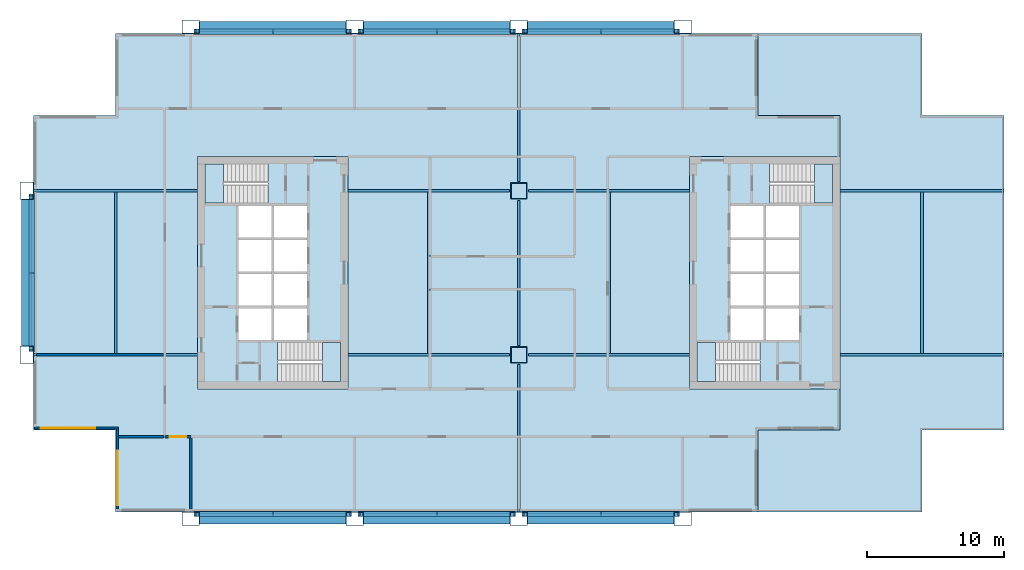
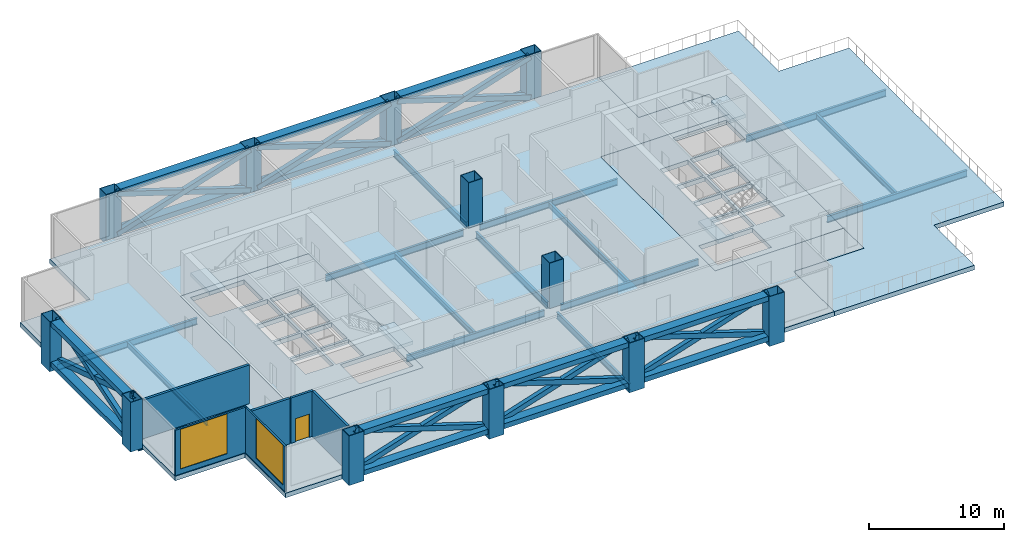
# One storey, part 1 of 6: 29 beams, 14 members, 12 columns, 8 slabs, 6 walls, 2 windows, 1 door, 3 openings, 4 elements without a shape of their own.
"""IFC4 building model written with IfcOpenShell, lengths in metres."""

from ifc_helpers import new_model, si_unit, direction, frame, frame_2d, origin, origin_2d, place, context, subcontext, project, spatial, polyline, rectangle, hollow_rectangle, i_section, outline, extrude, material, layer, layer_set, material_profile, profile_set, type_object, element, fill, aggregate, save


model = new_model("IFC4")

# Units and contexts
model_context = context("Model", 3, precision=1e-05, world=origin(), true_north=direction((0.0, 1.0)))
body_context = subcontext(model_context, "Body", "Model", "MODEL_VIEW")
ifc_project = project(units=[si_unit("LENGTHUNIT", "METRE"), si_unit("AREAUNIT", "SQUARE_METRE"), si_unit("VOLUMEUNIT", "CUBIC_METRE"), si_unit("PLANEANGLEUNIT", "RADIAN"), si_unit("MASSUNIT", "GRAM", prefix="KILO")], contexts=[model_context])

# Site, building, storey
site_placement = place(None, origin())
site = spatial("IfcSite", under=ifc_project, at=site_placement, CompositionType="ELEMENT")
building_placement = place(site_placement, origin())
building = spatial("IfcBuilding", under=site, at=building_placement, Name="Kitamizu Gate Tower and Museum", CompositionType="ELEMENT")
storey_placement = place(building_placement, frame((0.0, 0.0, 153.75)))
storey = spatial("IfcBuildingStorey", under=building, at=storey_placement, Name="L40", CompositionType="ELEMENT", Elevation=153.75)

# Columns
ifc_material_1 = material(Name="Steel SM490A bronze coated", Category="steel")
ifc_material_profile_1 = material_profile(ifc_material_1, hollow_rectangle(XDim=1.300048828125, YDim=1.0, WallThickness=0.050048828125, at=origin_2d()), Name="BOX 1300x1000x50")
ifc_profile_set_1 = profile_set([ifc_material_profile_1], Name="Steel SM490A bronze coated")
column_type_1 = type_object("IfcColumnType", Name="Exoskeleton column XC6 BOX 1300x1000x50", PredefinedType="COLUMN", material=ifc_profile_set_1)
for number, where, z_axis, x_axis, name in (
    (1, (0.0, 24.0, -0.39990234375), (0.0, 0.0, 1.0), (0.0, 1.0, 0.0), "Column XC6 1C L40"),
    (2, (0.0, 36.0, -0.39990234375), (0.0, 0.0, 1.0), (0.0, 1.0, 0.0), "Column XC6 1D L40"),
    (3, (12.0, 12.0, -0.39990234375), (0.0, 0.0, 1.0), (1.0, 0.0, 0.0), "Column XC6 2B L40"),
    (4, (12.0, 48.0, -0.39990234375), (0.0, 0.0, 1.0), (1.0, 0.0, 0.0), "Column XC6 2E L40"),
    (5, (24.0, 12.0, -0.39990234375), (0.0, 0.0, 1.0), (1.0, 0.0, 0.0), "Column XC6 3B L40"),
    (6, (24.0, 48.0, -0.39990234375), (0.0, 0.0, 1.0), (1.0, 0.0, 0.0), "Column XC6 3E L40"),
    (7, (36.0, 12.0, -0.39990234375), (0.0, 0.0, 1.0), (1.0, 0.0, 0.0), "Column XC6 4B L40"),
    (8, (36.0, 48.0, -0.39990234375), (0.0, 0.0, 1.0), (1.0, 0.0, 0.0), "Column XC6 4E L40"),
    (9, (48.0, 12.0, -0.39990234375), (0.0, 0.0, 1.0), (1.0, 0.0, 0.0), "Column XC6 5B L40"),
    (10, (48.0, 48.0, -0.39990234375), (0.0, 0.0, 1.0), (1.0, 0.0, 0.0), "Column XC6 5E L40"),
):
    element("IfcColumn", number, at=place(storey_placement, frame(where, z_axis=z_axis, x_axis=x_axis)), inside=storey, type_object=column_type_1, Name=name, PredefinedType="COLUMN", context=body_context, shape_type="SweptSolid", body=[
        extrude(hollow_rectangle(XDim=1.300048828125, YDim=1.0, WallThickness=0.050048828125, at=origin_2d()), origin(), (0.0, 0.0, 1.0), 4.5),
    ])
ifc_material_2 = material(Name="Steel SM490A", Category="steel")
ifc_material_profile_2 = material_profile(ifc_material_2, hollow_rectangle(XDim=1.199951171875, YDim=1.199951171875, WallThickness=0.050048828125, at=origin_2d()), Name="BOX 1200x1200x50")
ifc_profile_set_2 = profile_set([ifc_material_profile_2], Name="Steel SM490A")
column_type_2 = type_object("IfcColumnType", Name="Interior column IC4 BOX 1200x1200x50", PredefinedType="COLUMN", material=ifc_profile_set_2)
for number, where, z_axis, x_axis, name in (
    (11, (36.0, 24.0, 0.0), (0.0, 0.0, 1.0), (1.0, 0.0, 0.0), "Column IC4 4C L40"),
    (12, (36.0, 36.0, 0.0), (0.0, 0.0, 1.0), (1.0, 0.0, 0.0), "Column IC4 4D L40"),
):
    element("IfcColumn", number, at=place(storey_placement, frame(where, z_axis=z_axis, x_axis=x_axis)), inside=storey, type_object=column_type_2, Name=name, PredefinedType="COLUMN", context=body_context, shape_type="SweptSolid", body=[
        extrude(hollow_rectangle(XDim=1.199951171875, YDim=1.199951171875, WallThickness=0.050048828125, at=origin_2d()), origin(), (0.0, 0.0, 1.0), 4.10009765625),
    ])

# Beams
ifc_material_3 = material(Name="Steel SM490A bronze coated", Category="steel")
ifc_material_profile_3 = material_profile(ifc_material_3, hollow_rectangle(XDim=0.760009765625, YDim=0.449951171875, WallThickness=0.035888671875, at=origin_2d()), Name="BOX 760x450x36")
ifc_profile_set_3 = profile_set([ifc_material_profile_3], Name="Steel SM490A bronze coated")
beam_type_1 = type_object("IfcBeamType", Name="Belt truss chord BTC2 BOX 760x450x36", PredefinedType="BEAM", material=ifc_profile_set_3)
for number, where, z_axis, x_axis, name in (
    (13, (12.64990234375, 12.0, 3.875), (1.0, 0.0, 0.0), (0.0, 1.0, 0.0), "Belt truss top chord south 12 L40"),
    (14, (12.64990234375, 12.0, 0.22509765625), (1.0, 0.0, 0.0), (0.0, 1.0, 0.0), "Belt truss bottom chord south 12 L40"),
    (15, (24.64990234375, 12.0, 3.875), (1.0, 0.0, 0.0), (0.0, 1.0, 0.0), "Belt truss top chord south 24 L40"),
    (16, (24.64990234375, 12.0, 0.22509765625), (1.0, 0.0, 0.0), (0.0, 1.0, 0.0), "Belt truss bottom chord south 24 L40"),
    (17, (36.64990234375, 12.0, 3.875), (1.0, 0.0, 0.0), (0.0, 1.0, 0.0), "Belt truss top chord south 36 L40"),
    (18, (36.64990234375, 12.0, 0.22509765625), (1.0, 0.0, 0.0), (0.0, 1.0, 0.0), "Belt truss bottom chord south 36 L40"),
    (19, (12.64990234375, 48.0, 3.875), (1.0, 0.0, 0.0), (0.0, 1.0, 0.0), "Belt truss top chord north 12 L40"),
    (20, (12.64990234375, 48.0, 0.22509765625), (1.0, 0.0, 0.0), (0.0, 1.0, 0.0), "Belt truss bottom chord north 12 L40"),
    (21, (24.64990234375, 48.0, 3.875), (1.0, 0.0, 0.0), (0.0, 1.0, 0.0), "Belt truss top chord north 24 L40"),
    (22, (24.64990234375, 48.0, 0.22509765625), (1.0, 0.0, 0.0), (0.0, 1.0, 0.0), "Belt truss bottom chord north 24 L40"),
    (23, (36.64990234375, 48.0, 3.875), (1.0, 0.0, 0.0), (0.0, 1.0, 0.0), "Belt truss top chord north 36 L40"),
    (24, (36.64990234375, 48.0, 0.22509765625), (1.0, 0.0, 0.0), (0.0, 1.0, 0.0), "Belt truss bottom chord north 36 L40"),
    (25, (0.0, 24.64990234375, 3.875), (0.0, 1.0, 0.0), (-1.0, 0.0, 0.0), "Belt truss top chord west 24 L40"),
    (26, (0.0, 24.64990234375, 0.22509765625), (0.0, 1.0, 0.0), (-1.0, 0.0, 0.0), "Belt truss bottom chord west 24 L40"),
):
    element("IfcBeam", number, at=place(storey_placement, frame(where, z_axis=z_axis, x_axis=x_axis)), inside=storey, type_object=beam_type_1, Name=name, PredefinedType="BEAM", context=body_context, shape_type="SweptSolid", body=[
        extrude(hollow_rectangle(XDim=0.760009765625, YDim=0.449951171875, WallThickness=0.035888671875, at=origin_2d()), origin(), (0.0, 0.0, 1.0), 10.7001953125),
    ])

# Members
ifc_material_4 = material(Name="Steel SM490A bronze coated", Category="steel")
ifc_material_profile_4 = material_profile(ifc_material_4, hollow_rectangle(XDim=0.3798828125, YDim=0.449951171875, WallThickness=0.02490234375, at=origin_2d()), Name="BOX 380x450x25")
ifc_profile_set_4 = profile_set([ifc_material_profile_4], Name="Steel SM490A bronze coated")
member_type = type_object("IfcMemberType", Name="Belt truss diagonal BTD2 BOX 380x450x25", PredefinedType="BRACE", material=ifc_profile_set_4)
for number, where, z_axis, x_axis, name in (
    (27, (12.300048828125, 12.360107421875, 0.22509765625), (0.952377245533, 0.0, 0.30492225598), (0.0, 1.0, 0.0), "Belt truss diagonal south 12 L40"),
    (28, (23.699951171875, 12.360107421875, 0.22509765625), (-0.952377245533, 0.0, 0.30492225598), (0.0, -1.0, 0.0), "Belt truss diagonal south 12 L40"),
    (29, (24.300048828125, 12.360107421875, 0.22509765625), (0.952377245533, 0.0, 0.30492225598), (0.0, 1.0, 0.0), "Belt truss diagonal south 24 L40"),
    (30, (35.699951171875, 12.360107421875, 0.22509765625), (-0.952377245533, 0.0, 0.30492225598), (0.0, -1.0, 0.0), "Belt truss diagonal south 24 L40"),
    (31, (36.300048828125, 12.360107421875, 0.22509765625), (0.952377245533, 0.0, 0.30492225598), (0.0, 1.0, 0.0), "Belt truss diagonal south 36 L40"),
    (32, (47.699951171875, 12.360107421875, 0.22509765625), (-0.952377245533, 0.0, 0.30492225598), (0.0, -1.0, 0.0), "Belt truss diagonal south 36 L40"),
    (33, (12.300048828125, 47.639892578125, 0.22509765625), (0.952377245533, 0.0, 0.30492225598), (0.0, 1.0, 0.0), "Belt truss diagonal north 12 L40"),
    (34, (23.699951171875, 47.639892578125, 0.22509765625), (-0.952377245533, 0.0, 0.30492225598), (0.0, -1.0, 0.0), "Belt truss diagonal north 12 L40"),
    (35, (24.300048828125, 47.639892578125, 0.22509765625), (0.952377245533, 0.0, 0.30492225598), (0.0, 1.0, 0.0), "Belt truss diagonal north 24 L40"),
    (36, (35.699951171875, 47.639892578125, 0.22509765625), (-0.952377245533, 0.0, 0.30492225598), (0.0, -1.0, 0.0), "Belt truss diagonal north 24 L40"),
    (37, (36.300048828125, 47.639892578125, 0.22509765625), (0.952377245533, 0.0, 0.30492225598), (0.0, 1.0, 0.0), "Belt truss diagonal north 36 L40"),
    (38, (47.699951171875, 47.639892578125, 0.22509765625), (-0.952377245533, 0.0, 0.30492225598), (0.0, -1.0, 0.0), "Belt truss diagonal north 36 L40"),
    (39, (0.360107421875, 24.300048828125, 0.22509765625), (0.0, 0.952377245533, 0.30492225598), (-1.0, 0.0, 0.0), "Belt truss diagonal west 24 L40"),
    (40, (0.360107421875, 35.699951171875, 0.22509765625), (0.0, -0.952377245533, 0.30492225598), (1.0, 0.0, 0.0), "Belt truss diagonal west 24 L40"),
):
    element("IfcMember", number, at=place(storey_placement, frame(where, z_axis=z_axis, x_axis=x_axis)), inside=storey, type_object=member_type, Name=name, PredefinedType="BRACE", context=body_context, shape_type="SweptSolid", body=[
        extrude(hollow_rectangle(XDim=0.3798828125, YDim=0.449951171875, WallThickness=0.02490234375, at=origin_2d()), origin(), (0.0, 0.0, 1.0), 11.969970703125),
    ])

# Beams
ifc_material_5 = material(Name="Steel SM490A", Category="steel")
ifc_material_profile_5 = material_profile(ifc_material_5, i_section(OverallWidth=0.199951171875, OverallDepth=0.5, WebThickness=0.010009765625, FlangeThickness=0.01611328125, FilletRadius=0.02001953125, at=origin_2d()), Name="H-500x200x10x16")
ifc_profile_set_5 = profile_set([ifc_material_profile_5], Name="Steel SM490A")
beam_type_2 = type_object("IfcBeamType", Name="Floor beam FB1 H 500x200x10x16", PredefinedType="BEAM", material=ifc_profile_set_5)
for number, where, z_axis, x_axis, name in (
    (41, (6.5, 24.10009765625, -0.64990234375), (0.0, 1.0, 0.0), (-1.0, 0.0, 0.0), "Floor beam FB1 L40-1"),
    (42, (29.39990234375, 24.10009765625, -0.64990234375), (0.0, 1.0, 0.0), (-1.0, 0.0, 0.0), "Floor beam FB1 L40-2"),
    (43, (42.60009765625, 24.10009765625, -0.64990234375), (0.0, 1.0, 0.0), (-1.0, 0.0, 0.0), "Floor beam FB1 L40-3"),
    (44, (65.5, 24.10009765625, -0.64990234375), (0.0, 1.0, 0.0), (-1.0, 0.0, 0.0), "Floor beam FB1 L40-4"),
):
    element("IfcBeam", number, at=place(storey_placement, frame(where, z_axis=z_axis, x_axis=x_axis)), inside=storey, type_object=beam_type_2, Name=name, PredefinedType="BEAM", context=body_context, shape_type="SweptSolid", body=[
        extrude(i_section(OverallWidth=0.199951171875, OverallDepth=0.5, WebThickness=0.010009765625, FlangeThickness=0.01611328125, FilletRadius=0.02001953125, at=origin_2d()), origin(), (0.0, 0.0, 1.0), 11.7998046875),
    ])
ifc_material_6 = material(Name="Steel SM490A", Category="steel")
ifc_material_profile_6 = material_profile(ifc_material_6, i_section(OverallWidth=0.199951171875, OverallDepth=0.60009765625, WebThickness=0.010986328125, FlangeThickness=0.01708984375, FilletRadius=0.02197265625, at=origin_2d()), Name="H-600x200x11x17")
ifc_profile_set_6 = profile_set([ifc_material_profile_6], Name="Steel SM490A")
beam_type_3 = type_object("IfcBeamType", Name="Floor girder FG1 H 600x200x11x17", PredefinedType="BEAM", material=ifc_profile_set_6)
beam_1_placement = place(storey_placement, frame((36.0, 12.5, -0.699951171875), z_axis=(0.0, 1.0, 0.0), x_axis=(-1.0, 0.0, 0.0)))
element("IfcBeam", 45, at=beam_1_placement, inside=storey, type_object=beam_type_3, Name="Floor girder FG1 x36 L40", PredefinedType="BEAM", context=body_context, shape_type="SweptSolid", body=[
    extrude(i_section(OverallWidth=0.199951171875, OverallDepth=0.60009765625, WebThickness=0.010986328125, FlangeThickness=0.01708984375, FilletRadius=0.02197265625, at=origin_2d()), origin(), (0.0, 0.0, 1.0), 10.800048828125),
])
beam_2_placement = place(storey_placement, frame((36.0, 24.699951171875, -0.699951171875), z_axis=(0.0, 1.0, 0.0), x_axis=(-1.0, 0.0, 0.0)))
element("IfcBeam", 46, at=beam_2_placement, inside=storey, type_object=beam_type_3, Name="Floor girder FG1 x36 L40", PredefinedType="BEAM", context=body_context, shape_type="SweptSolid", body=[
    extrude(i_section(OverallWidth=0.199951171875, OverallDepth=0.60009765625, WebThickness=0.010986328125, FlangeThickness=0.01708984375, FilletRadius=0.02197265625, at=origin_2d()), origin(), (0.0, 0.0, 1.0), 10.60009765625),
])
beam_3_placement = place(storey_placement, frame((36.0, 36.699951171875, -0.699951171875), z_axis=(0.0, 1.0, 0.0), x_axis=(-1.0, 0.0, 0.0)))
element("IfcBeam", 47, at=beam_3_placement, inside=storey, type_object=beam_type_3, Name="Floor girder FG1 x36 L40", PredefinedType="BEAM", context=body_context, shape_type="SweptSolid", body=[
    extrude(i_section(OverallWidth=0.199951171875, OverallDepth=0.60009765625, WebThickness=0.010986328125, FlangeThickness=0.01708984375, FilletRadius=0.02197265625, at=origin_2d()), origin(), (0.0, 0.0, 1.0), 10.800048828125),
])
beam_4_placement = place(storey_placement, frame((0.5, 24.0, -0.699951171875), z_axis=(1.0, 0.0, 0.0), x_axis=(0.0, 1.0, 0.0)))
element("IfcBeam", 48, at=beam_4_placement, inside=storey, type_object=beam_type_3, Name="Floor girder FG1 y24 L40", PredefinedType="BEAM", context=body_context, shape_type="SweptSolid", body=[
    extrude(i_section(OverallWidth=0.199951171875, OverallDepth=0.60009765625, WebThickness=0.010986328125, FlangeThickness=0.01708984375, FilletRadius=0.02197265625, at=origin_2d()), origin(), (0.0, 0.0, 1.0), 12.0),
])
for number, where, z_axis, x_axis, name in (
    (49, (23.5, 24.0, -0.699951171875), (1.0, 0.0, 0.0), (0.0, 1.0, 0.0), "Floor girder FG1 y24 L40"),
    (50, (36.699951171875, 24.0, -0.699951171875), (1.0, 0.0, 0.0), (0.0, 1.0, 0.0), "Floor girder FG1 y24 L40"),
):
    element("IfcBeam", number, at=place(storey_placement, frame(where, z_axis=z_axis, x_axis=x_axis)), inside=storey, type_object=beam_type_3, Name=name, PredefinedType="BEAM", context=body_context, shape_type="SweptSolid", body=[
        extrude(i_section(OverallWidth=0.199951171875, OverallDepth=0.60009765625, WebThickness=0.010986328125, FlangeThickness=0.01708984375, FilletRadius=0.02197265625, at=origin_2d()), origin(), (0.0, 0.0, 1.0), 11.800048828125),
    ])
for number, where, z_axis, x_axis, name in (
    (51, (59.5, 24.0, -0.699951171875), (1.0, 0.0, 0.0), (0.0, 1.0, 0.0), "Floor girder FG1 y24 L40"),
    (52, (0.5, 36.0, -0.699951171875), (1.0, 0.0, 0.0), (0.0, 1.0, 0.0), "Floor girder FG1 y36 L40"),
):
    element("IfcBeam", number, at=place(storey_placement, frame(where, z_axis=z_axis, x_axis=x_axis)), inside=storey, type_object=beam_type_3, Name=name, PredefinedType="BEAM", context=body_context, shape_type="SweptSolid", body=[
        extrude(i_section(OverallWidth=0.199951171875, OverallDepth=0.60009765625, WebThickness=0.010986328125, FlangeThickness=0.01708984375, FilletRadius=0.02197265625, at=origin_2d()), origin(), (0.0, 0.0, 1.0), 12.0),
    ])
for number, where, z_axis, x_axis, name in (
    (53, (23.5, 36.0, -0.699951171875), (1.0, 0.0, 0.0), (0.0, 1.0, 0.0), "Floor girder FG1 y36 L40"),
    (54, (36.699951171875, 36.0, -0.699951171875), (1.0, 0.0, 0.0), (0.0, 1.0, 0.0), "Floor girder FG1 y36 L40"),
):
    element("IfcBeam", number, at=place(storey_placement, frame(where, z_axis=z_axis, x_axis=x_axis)), inside=storey, type_object=beam_type_3, Name=name, PredefinedType="BEAM", context=body_context, shape_type="SweptSolid", body=[
        extrude(i_section(OverallWidth=0.199951171875, OverallDepth=0.60009765625, WebThickness=0.010986328125, FlangeThickness=0.01708984375, FilletRadius=0.02197265625, at=origin_2d()), origin(), (0.0, 0.0, 1.0), 11.800048828125),
    ])
beam_5_placement = place(storey_placement, frame((59.5, 36.0, -0.699951171875), z_axis=(1.0, 0.0, 0.0), x_axis=(0.0, 1.0, 0.0)))
element("IfcBeam", 55, at=beam_5_placement, inside=storey, type_object=beam_type_3, Name="Floor girder FG1 y36 L40", PredefinedType="BEAM", context=body_context, shape_type="SweptSolid", body=[
    extrude(i_section(OverallWidth=0.199951171875, OverallDepth=0.60009765625, WebThickness=0.010986328125, FlangeThickness=0.01708984375, FilletRadius=0.02197265625, at=origin_2d()), origin(), (0.0, 0.0, 1.0), 12.0),
])

# Slabs
ifc_material_7 = material(Name="Concrete Fc36", Category="concrete")
ifc_layer_1 = layer(ifc_material_7, 0.39990234375)
ifc_layer_set_1 = layer_set([ifc_layer_1], Name="Concrete Fc36")
slab_type_1 = type_object("IfcSlabType", Name="Core floor slab 400", PredefinedType="FLOOR", material=ifc_layer_set_1)
slab_1_placement = place(storey_placement, frame((0.0, 0.0, -0.39990234375)))
element("IfcSlab", 56, at=slab_1_placement, inside=storey, type_object=slab_type_1, Name="Core floor slab W", PredefinedType="FLOOR", context=body_context, shape_type="SweptSolid", body=[
    extrude(outline(polyline([(12.5, 21.5), (23.5, 21.5), (23.5, 38.5), (12.5, 38.5), (12.5, 21.5)]), holes=[polyline([(15.5, 25.10009765625), (17.89990234375, 25.10009765625), (17.89990234375, 27.39990234375), (15.5, 27.39990234375), (15.5, 25.10009765625)]), polyline([(15.5, 27.60009765625), (17.89990234375, 27.60009765625), (17.89990234375, 29.89990234375), (15.5, 29.89990234375), (15.5, 27.60009765625)]), polyline([(15.5, 30.10009765625), (17.89990234375, 30.10009765625), (17.89990234375, 32.39990234375), (15.5, 32.39990234375), (15.5, 30.10009765625)]), polyline([(15.5, 32.60009765625), (17.89990234375, 32.60009765625), (17.89990234375, 34.89990234375), (15.5, 34.89990234375), (15.5, 32.60009765625)]), polyline([(18.10009765625, 25.10009765625), (20.5, 25.10009765625), (20.5, 27.39990234375), (18.10009765625, 27.39990234375), (18.10009765625, 25.10009765625)]), polyline([(18.10009765625, 27.60009765625), (20.5, 27.60009765625), (20.5, 29.89990234375), (18.10009765625, 29.89990234375), (18.10009765625, 27.60009765625)]), polyline([(18.10009765625, 30.10009765625), (20.5, 30.10009765625), (20.5, 32.39990234375), (18.10009765625, 32.39990234375), (18.10009765625, 30.10009765625)]), polyline([(18.10009765625, 32.60009765625), (20.5, 32.60009765625), (20.5, 34.89990234375), (18.10009765625, 34.89990234375), (18.10009765625, 32.60009765625)]), polyline([(18.3505859375, 22.050048828125), (22.949951171875, 22.050048828125), (22.949951171875, 24.89990234375), (18.3505859375, 24.89990234375), (18.3505859375, 22.050048828125)]), polyline([(13.050048828125, 35.10009765625), (17.6494140625, 35.10009765625), (17.6494140625, 37.949951171875), (13.050048828125, 37.949951171875), (13.050048828125, 35.10009765625)])]), origin(), (0.0, 0.0, 1.0), 0.39990234375),
])
slab_2_placement = place(storey_placement, frame((0.0, 0.0, -0.39990234375)))
element("IfcSlab", 57, at=slab_2_placement, inside=storey, type_object=slab_type_1, Name="Core floor slab E", PredefinedType="FLOOR", context=body_context, shape_type="SweptSolid", body=[
    extrude(outline(polyline([(48.5, 21.5), (59.5, 21.5), (59.5, 38.5), (48.5, 38.5), (48.5, 21.5)]), holes=[polyline([(54.10009765625, 25.10009765625), (56.5, 25.10009765625), (56.5, 27.39990234375), (54.10009765625, 27.39990234375), (54.10009765625, 25.10009765625)]), polyline([(54.10009765625, 27.60009765625), (56.5, 27.60009765625), (56.5, 29.89990234375), (54.10009765625, 29.89990234375), (54.10009765625, 27.60009765625)]), polyline([(54.10009765625, 30.10009765625), (56.5, 30.10009765625), (56.5, 32.39990234375), (54.10009765625, 32.39990234375), (54.10009765625, 30.10009765625)]), polyline([(54.10009765625, 32.60009765625), (56.5, 32.60009765625), (56.5, 34.89990234375), (54.10009765625, 34.89990234375), (54.10009765625, 32.60009765625)]), polyline([(51.5, 25.10009765625), (53.89990234375, 25.10009765625), (53.89990234375, 27.39990234375), (51.5, 27.39990234375), (51.5, 25.10009765625)]), polyline([(51.5, 27.60009765625), (53.89990234375, 27.60009765625), (53.89990234375, 29.89990234375), (51.5, 29.89990234375), (51.5, 27.60009765625)]), polyline([(51.5, 30.10009765625), (53.89990234375, 30.10009765625), (53.89990234375, 32.39990234375), (51.5, 32.39990234375), (51.5, 30.10009765625)]), polyline([(51.5, 32.60009765625), (53.89990234375, 32.60009765625), (53.89990234375, 34.89990234375), (51.5, 34.89990234375), (51.5, 32.60009765625)]), polyline([(49.050048828125, 22.050048828125), (53.6494140625, 22.050048828125), (53.6494140625, 24.89990234375), (49.050048828125, 24.89990234375), (49.050048828125, 22.050048828125)]), polyline([(54.3505859375, 35.10009765625), (58.949951171875, 35.10009765625), (58.949951171875, 37.949951171875), (54.3505859375, 37.949951171875), (54.3505859375, 35.10009765625)])]), origin(), (0.0, 0.0, 1.0), 0.39990234375),
])
ifc_material_8 = material(Name="Concrete Fc36", Category="concrete")
ifc_layer_2 = layer(ifc_material_8, 0.39990234375)
ifc_layer_set_2 = layer_set([ifc_layer_2], Name="Concrete Fc36")
slab_type_2 = type_object("IfcSlabType", Name="Post tensioned flat slab 400", PredefinedType="FLOOR", material=ifc_layer_set_2)
slab_3_placement = place(storey_placement, frame((0.0, 0.0, -0.39990234375)))
element("IfcSlab", 58, at=slab_3_placement, inside=storey, type_object=slab_type_2, Name="Floor slab L40-1", PredefinedType="FLOOR", context=body_context, shape_type="SweptSolid", body=[
    extrude(outline(polyline([(0.5, 41.5), (6.5, 41.5), (6.5, 47.5), (53.5, 47.5), (53.5, 41.5), (59.5, 41.5), (59.5, 38.5), (48.5, 38.5), (48.5, 21.5), (59.5, 21.5), (59.5, 18.5), (53.5, 18.5), (53.5, 12.5), (6.5, 12.5), (6.5, 18.5), (0.5, 18.5), (0.5, 41.5)]), holes=[polyline([(12.5, 21.5), (23.5, 21.5), (23.5, 38.5), (12.5, 38.5), (12.5, 21.5)])]), origin(), (0.0, 0.0, 1.0), 0.39990234375),
])

# Stair, slab
ifc_material_9 = material(Name="Concrete Fc42", Category="concrete")
stair_type = type_object("IfcStairType", Name="Exit stair 1325 wide 188 rise 298 going", PredefinedType="HALF_TURN_STAIR", material=ifc_material_9)
stair_1_placement = place(storey_placement, origin())
stair_1 = element("IfcStair", 59, at=stair_1_placement, inside=storey, type_object=stair_type, Name="Exit stair ST1", PredefinedType="HALF_TURN_STAIR")
ifc_material_10 = material(Name="Concrete Fc42", Category="concrete")
ifc_layer_3 = layer(ifc_material_10, 0.300048828125)
ifc_layer_set_3 = layer_set([ifc_layer_3], Name="Concrete Fc42")
slab_type_3 = type_object("IfcSlabType", Name="Stair landing 300", PredefinedType="LANDING", material=ifc_layer_set_3)
slab_4_placement = place(storey_placement, frame((0.0, 0.0, 1.949951171875)))
slab_4 = element("IfcSlab", 60, at=slab_4_placement, type_object=slab_type_3, Name="ST1 landing 1", PredefinedType="LANDING", context=body_context, shape_type="SweptSolid", body=[
    extrude(outline(polyline([(21.625, 22.050048828125), (22.949951171875, 22.050048828125), (22.949951171875, 24.89990234375), (21.625, 24.89990234375), (21.625, 22.050048828125)])), origin(), (0.0, 0.0, 1.0), 0.300048828125),
])
aggregate(stair_1, [slab_4])

stair_2_placement = place(storey_placement, origin())
stair_2 = element("IfcStair", 61, at=stair_2_placement, inside=storey, type_object=stair_type, Name="Exit stair ST2", PredefinedType="HALF_TURN_STAIR")
slab_5_placement = place(storey_placement, frame((0.0, 0.0, 1.949951171875)))
slab_5 = element("IfcSlab", 62, at=slab_5_placement, type_object=slab_type_3, Name="ST2 landing 1", PredefinedType="LANDING", context=body_context, shape_type="SweptSolid", body=[
    extrude(outline(polyline([(13.050048828125, 35.10009765625), (14.375, 35.10009765625), (14.375, 37.949951171875), (13.050048828125, 37.949951171875), (13.050048828125, 35.10009765625)])), origin(), (0.0, 0.0, 1.0), 0.300048828125),
])
aggregate(stair_2, [slab_5])

stair_3_placement = place(storey_placement, origin())
stair_3 = element("IfcStair", 63, at=stair_3_placement, inside=storey, type_object=stair_type, Name="Exit stair ST3", PredefinedType="HALF_TURN_STAIR")
slab_6_placement = place(storey_placement, frame((0.0, 0.0, 1.949951171875)))
slab_6 = element("IfcSlab", 64, at=slab_6_placement, type_object=slab_type_3, Name="ST3 landing 1", PredefinedType="LANDING", context=body_context, shape_type="SweptSolid", body=[
    extrude(outline(polyline([(49.050048828125, 22.050048828125), (50.375, 22.050048828125), (50.375, 24.89990234375), (49.050048828125, 24.89990234375), (49.050048828125, 22.050048828125)])), origin(), (0.0, 0.0, 1.0), 0.300048828125),
])
aggregate(stair_3, [slab_6])

stair_4_placement = place(storey_placement, origin())
stair_4 = element("IfcStair", 65, at=stair_4_placement, inside=storey, type_object=stair_type, Name="Exit stair ST4", PredefinedType="HALF_TURN_STAIR")
slab_7_placement = place(storey_placement, frame((0.0, 0.0, 1.949951171875)))
slab_7 = element("IfcSlab", 66, at=slab_7_placement, type_object=slab_type_3, Name="ST4 landing 1", PredefinedType="LANDING", context=body_context, shape_type="SweptSolid", body=[
    extrude(outline(polyline([(57.625, 35.10009765625), (58.949951171875, 35.10009765625), (58.949951171875, 37.949951171875), (57.625, 37.949951171875), (57.625, 35.10009765625)])), origin(), (0.0, 0.0, 1.0), 0.300048828125),
])
aggregate(stair_4, [slab_7])

# Slab
ifc_material_11 = material(Name="Concrete Fc36", Category="concrete")
ifc_layer_4 = layer(ifc_material_11, 0.39990234375)
ifc_layer_set_4 = layer_set([ifc_layer_4], Name="Concrete Fc36")
slab_type_4 = type_object("IfcSlabType", Name="Terrace slab 400", PredefinedType="FLOOR", material=ifc_layer_set_4)
slab_8_placement = place(storey_placement, frame((0.0, 0.0, -0.39990234375)))
element("IfcSlab", 67, at=slab_8_placement, inside=storey, type_object=slab_type_4, Name="Terrace slab L40-1", PredefinedType="FLOOR", context=body_context, shape_type="SweptSolid", body=[
    extrude(outline(polyline([(65.5, 47.5), (65.5, 41.5), (71.5, 41.5), (71.5, 18.5), (65.5, 18.5), (65.5, 12.5), (53.5, 12.5), (53.5, 18.5), (59.5, 18.5), (59.5, 21.5), (59.5, 38.5), (59.5, 41.5), (53.5, 41.5), (53.5, 47.5), (65.5, 47.5)])), origin(), (0.0, 0.0, 1.0), 0.39990234375),
])

# Wall, opening, door
ifc_material_12 = material(Name="Gypsum board on galvanised stud")
ifc_layer_5 = layer(ifc_material_12, 0.199951171875)
ifc_layer_set_5 = layer_set([ifc_layer_5], Name="Gypsum board on galvanised stud")
wall_type_1 = type_object("IfcWallType", Name="Partition 200", PredefinedType="PARTITIONING", material=ifc_layer_set_5)
wall_1_placement = place(storey_placement, frame((10.10009765625, 18.0, 0.0), z_axis=(0.0, 0.0, 1.0), x_axis=(1.0, 0.0, 0.0)))
wall_1 = element("IfcWall", 68, at=wall_1_placement, inside=storey, type_object=wall_type_1, Name="Partition L40-008", PredefinedType="PARTITIONING", context=body_context, shape_type="SweptSolid", body=[
    extrude(rectangle(XDim=1.89990234375, YDim=0.199951171875, at=frame_2d((0.949951171875, 0.0))), origin(), (0.0, 0.0, 1.0), 4.10009765625),
])
opening_1_placement = place(wall_1_placement, frame((0.35009765625, 0.0, 0.0)))
opening_1 = element("IfcOpeningElement", 69, at=opening_1_placement, cuts=wall_1, Name="Opening L40-003", PredefinedType="OPENING", context=body_context, shape_type="SweptSolid", body=[
    extrude(rectangle(XDim=1.199951171875, YDim=2.10009765625, at=frame_2d((0.60009765625, 1.050048828125))), frame((0.0, 0.10986328125, 0.0), z_axis=(0.0, -1.0, 0.0), x_axis=(1.0, 0.0, 0.0)), (0.0, 0.0, 1.0), 0.219970703125),
])
ifc_material_13 = material(Name="Timber door set", Category="wood")
door_type = type_object("IfcDoorType", Name="Plant room door 1200", OperationType="DOUBLE_DOOR_SINGLE_SWING", PredefinedType="DOOR", material=ifc_material_13)
door_placement = place(opening_1_placement, origin())
door = element("IfcDoor", 70, at=door_placement, inside=storey, type_object=door_type, Name="Plant room door L40-003", OperationType="DOUBLE_DOOR_SINGLE_SWING", OverallHeight=2.10009765625, OverallWidth=1.199951171875, PredefinedType="DOOR", context=body_context, shape_type="SweptSolid", body=[
    extrude(rectangle(XDim=1.199951171875, YDim=2.10009765625, at=frame_2d((0.60009765625, 1.050048828125))), frame((0.0, 0.02490234375, 0.0), z_axis=(0.0, -1.0, 0.0), x_axis=(1.0, 0.0, 0.0)), (0.0, 0.0, 1.0), 0.050048828125),
])
fill(opening_1, door)

# Walls
wall_2_placement = place(storey_placement, frame((12.0, 12.719970703125, 0.0), z_axis=(0.0, 0.0, 1.0), x_axis=(0.0, 1.0, 0.0)))
element("IfcWall", 71, at=wall_2_placement, inside=storey, type_object=wall_type_1, Name="Partition L40-036", PredefinedType="PARTITIONING", context=body_context, shape_type="SweptSolid", body=[
    extrude(rectangle(XDim=5.179931640625, YDim=0.199951171875, at=frame_2d((2.58984375, 0.0))), origin(), (0.0, 0.0, 1.0), 4.10009765625),
])
wall_3_placement = place(storey_placement, frame((10.0, 18.0, 0.0), z_axis=(0.0, 0.0, 1.0), x_axis=(-1.0, 0.0, 0.0)))
element("IfcWall", 72, at=wall_3_placement, inside=storey, type_object=wall_type_1, Name="Partition L40-037", PredefinedType="PARTITIONING", context=body_context, shape_type="SweptSolid", body=[
    extrude(rectangle(XDim=3.280029296875, YDim=0.199951171875, at=frame_2d((1.64013671875, 0.0))), origin(), (0.0, 0.0, 1.0), 4.10009765625),
])
wall_4_placement = place(storey_placement, frame((10.0, 24.0, 0.0), z_axis=(0.0, 0.0, 1.0), x_axis=(-1.0, 0.0, 0.0)))
element("IfcWall", 73, at=wall_4_placement, inside=storey, type_object=wall_type_1, Name="Partition L40-046", PredefinedType="PARTITIONING", context=body_context, shape_type="SweptSolid", body=[
    extrude(rectangle(XDim=9.280029296875, YDim=0.199951171875, at=frame_2d((4.64013671875, 0.0))), origin(), (0.0, 0.0, 1.0), 3.5),
])

# Wall, opening, window
ifc_material_14 = material(Name="Bronze anodised aluminium frame with insulated spandrel and tinted glass", Category="aluminium")
ifc_layer_6 = layer(ifc_material_14, 0.14990234375)
ifc_layer_set_6 = layer_set([ifc_layer_6], Name="Bronze anodised aluminium frame with insulated spandrel and tinted glass")
wall_type_2 = type_object("IfcWallType", Name="WINDOW WALL 150 BRONZE FRAME EI 60", PredefinedType="ELEMENTEDWALL", material=ifc_layer_set_6)
wall_5_placement = place(storey_placement, frame((0.56005859375, 18.635009765625, 0.0), z_axis=(0.0, 0.0, 1.0), x_axis=(1.0, 0.0, 0.0)))
wall_5 = element("IfcWall", 74, at=wall_5_placement, inside=storey, type_object=wall_type_2, Name="Window wall south L40", PredefinedType="ELEMENTEDWALL", context=body_context, shape_type="SweptSolid", body=[
    extrude(rectangle(XDim=6.14990234375, YDim=0.14990234375, at=frame_2d((3.074951171875, 0.0))), origin(), (0.0, 0.0, 1.0), 4.10009765625),
])
opening_2_placement = place(wall_5_placement, frame((0.43994140625, 0.0, 0.449951171875)))
opening_2 = element("IfcOpeningElement", 75, at=opening_2_placement, cuts=wall_5, Name="Opening W18", PredefinedType="OPENING", context=body_context, shape_type="SweptSolid", body=[
    extrude(rectangle(XDim=4.0, YDim=3.60009765625, at=frame_2d((2.0, 1.800048828125))), frame((0.0, 0.0849609375, 0.0), z_axis=(0.0, -1.0, 0.0), x_axis=(1.0, 0.0, 0.0)), (0.0, 0.0, 1.0), 0.169921875),
])
ifc_material_15 = material(Name="Bronze anodised aluminium frame, tinted triple glazing", Category="aluminium")
window_type = type_object("IfcWindowType", Name="WINDOW 4000 x 3600 SILL 450", PartitioningType="SINGLE_PANEL", PredefinedType="WINDOW", material=ifc_material_15)
window_1_placement = place(opening_2_placement, origin())
window_1 = element("IfcWindow", 76, at=window_1_placement, inside=storey, type_object=window_type, Name="Window W18 L40", OverallHeight=3.60009765625, OverallWidth=4.0, PartitioningType="SINGLE_PANEL", PredefinedType="WINDOW", context=body_context, shape_type="SweptSolid", body=[
    extrude(rectangle(XDim=4.0, YDim=3.60009765625, at=frame_2d((2.0, 1.800048828125))), frame((0.0, 0.030029296875, 0.0), z_axis=(0.0, -1.0, 0.0), x_axis=(1.0, 0.0, 0.0)), (0.0, 0.0, 1.0), 0.06005859375),
])
fill(opening_2, window_1)

wall_6_placement = place(storey_placement, frame((6.635009765625, 12.7099609375, 0.0), z_axis=(0.0, 0.0, 1.0), x_axis=(0.0, 1.0, 0.0)))
wall_6 = element("IfcWall", 77, at=wall_6_placement, inside=storey, type_object=wall_type_2, Name="Window wall west L40", PredefinedType="ELEMENTEDWALL", context=body_context, shape_type="SweptSolid", body=[
    extrude(rectangle(XDim=5.85009765625, YDim=0.14990234375, at=frame_2d((2.925048828125, 0.0))), origin(), (0.0, 0.0, 1.0), 4.10009765625),
])
opening_3_placement = place(wall_6_placement, frame((0.2900390625, 0.0, 0.449951171875)))
opening_3 = element("IfcOpeningElement", 78, at=opening_3_placement, cuts=wall_6, Name="Opening W18", PredefinedType="OPENING", context=body_context, shape_type="SweptSolid", body=[
    extrude(rectangle(XDim=4.0, YDim=3.60009765625, at=frame_2d((2.0, 1.800048828125))), frame((0.0, 0.0849609375, 0.0), z_axis=(0.0, -1.0, 0.0), x_axis=(1.0, 0.0, 0.0)), (0.0, 0.0, 1.0), 0.169921875),
])
window_2_placement = place(opening_3_placement, origin())
window_2 = element("IfcWindow", 79, at=window_2_placement, inside=storey, type_object=window_type, Name="Window W18 L40", OverallHeight=3.60009765625, OverallWidth=4.0, PartitioningType="SINGLE_PANEL", PredefinedType="WINDOW", context=body_context, shape_type="SweptSolid", body=[
    extrude(rectangle(XDim=4.0, YDim=3.60009765625, at=frame_2d((2.0, 1.800048828125))), frame((0.0, 0.030029296875, 0.0), z_axis=(0.0, -1.0, 0.0), x_axis=(1.0, 0.0, 0.0)), (0.0, 0.0, 1.0), 0.06005859375),
])
fill(opening_3, window_2)

save(model, "model.ifc")
